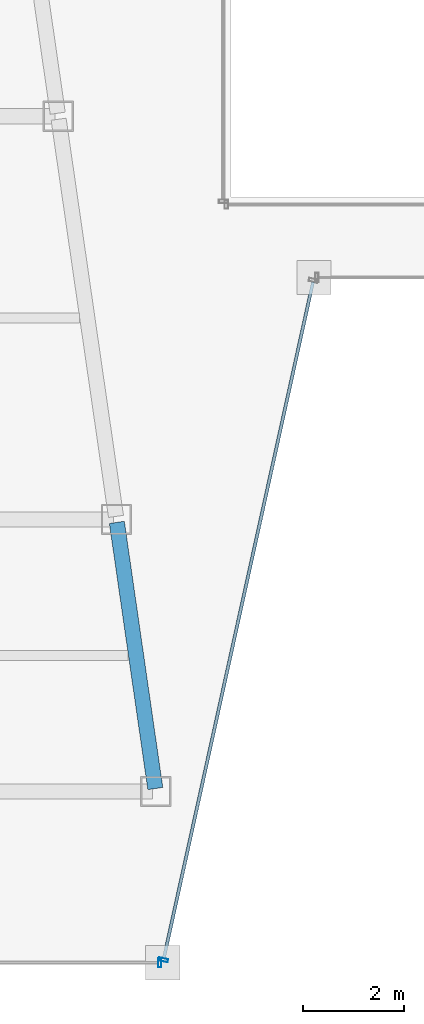
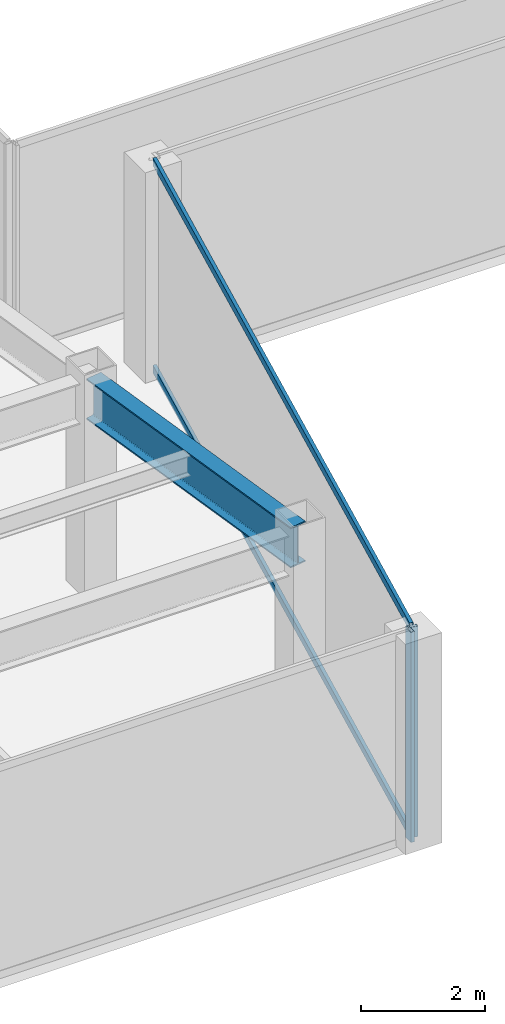
# One storey, part 5 of 37: 4 members, 1 beam, 2 elements without a shape of their own.
"""IFC4 building model written with IfcOpenShell, lengths in metres."""

from ifc_helpers import new_model, si_unit, direction, frame, origin, origin_2d, place, context, subcontext, project, spatial, hollow_rectangle, i_section, extrude, material, material_profile, profile_set, type_object, element, aggregate, save


model = new_model("IFC4")

# Units and contexts
model_context = context("Model", 3, precision=1e-05, world=origin(), true_north=direction((0.0, 1.0)))
body_context = subcontext(model_context, "Body", "Model", "MODEL_VIEW")
ifc_project = project(units=[si_unit("LENGTHUNIT", "METRE"), si_unit("AREAUNIT", "SQUARE_METRE"), si_unit("VOLUMEUNIT", "CUBIC_METRE"), si_unit("PLANEANGLEUNIT", "RADIAN"), si_unit("MASSUNIT", "GRAM", prefix="KILO")], contexts=[model_context])

# Site, building, storey
site_placement = place(None, origin())
site = spatial("IfcSite", under=ifc_project, at=site_placement, CompositionType="ELEMENT")
building_placement = place(site_placement, origin())
building = spatial("IfcBuilding", under=site, at=building_placement, Name="Saevonmaru Cultural Tower", CompositionType="ELEMENT")
storey_placement = place(building_placement, frame((0.0, 0.0, 106.0)))
storey = spatial("IfcBuildingStorey", under=building, at=storey_placement, Name="L22", CompositionType="ELEMENT", Elevation=106.0)

# Beam
ifc_material_1 = material(Name="Steel SM420", Category="steel")
ifc_material_profile_1 = material_profile(ifc_material_1, i_section(OverallWidth=0.300048828125, OverallDepth=0.800048828125, WebThickness=0.013916015625, FlangeThickness=0.02587890625, FilletRadius=0.028076171875, at=origin_2d()), Name="H-800x300x14x26")
ifc_profile_set_1 = profile_set([ifc_material_profile_1], Name="Steel SM420")
beam_type = type_object("IfcBeamType", Name="BM-G-H800", PredefinedType="BEAM", material=ifc_profile_set_1)
beam_placement = place(storey_placement, frame((22.699462890625, 10.659423828125, 3.75), z_axis=(-0.142977693794, 0.989725911087, 0.0), x_axis=(-0.989725911087, -0.142977693794, 0.0)))
element("IfcBeam", 1, at=beam_placement, inside=storey, type_object=beam_type, Name="L22 West Atrium Girder 1", PredefinedType="BEAM", context=body_context, shape_type="SweptSolid", body=[
    extrude(i_section(OverallWidth=0.300048828125, OverallDepth=0.800048828125, WebThickness=0.013916015625, FlangeThickness=0.02587890625, FilletRadius=0.028076171875, at=origin_2d()), origin(), (0.0, 0.0, 1.0), 5.336181640625),
])

# Curtain wall, member
ifc_material_2 = material(Name="Satin Bronze Anodised Aluminium", Category="aluminium")
curtain_wall_type = type_object("IfcCurtainWallType", Name="CW-TYP-A", PredefinedType="NOTDEFINED", material=ifc_material_2)
curtain_wall_1_placement = place(storey_placement, origin())
curtain_wall_1 = element("IfcCurtainWall", 2, at=curtain_wall_1_placement, inside=storey, type_object=curtain_wall_type, Name="L22 Unitised Curtain Wall E2", PredefinedType="NOTDEFINED")
ifc_material_profile_2 = material_profile(ifc_material_2, hollow_rectangle(XDim=0.06494140625, YDim=0.179931640625, WallThickness=0.00390625, at=origin_2d()), Name="ALU-MULL-180x65x4")
ifc_profile_set_2 = profile_set([ifc_material_profile_2], Name="Satin Bronze Anodised Aluminium")
member_type_1 = type_object("IfcMemberType", Name="ML-CW-180x65", PredefinedType="MULLION", material=ifc_profile_set_2)
member_1_placement = place(storey_placement, frame((22.788818359375, 7.199951171875, 0.0), z_axis=(0.0, 0.0, 1.0), x_axis=(1.0, 0.0, 0.0)))
member_1 = element("IfcMember", 3, at=member_1_placement, type_object=member_type_1, Name="CW-TW-L22-E2 mullion 2", PredefinedType="MULLION", context=body_context, shape_type="SweptSolid", body=[
    extrude(hollow_rectangle(XDim=0.06494140625, YDim=0.179931640625, WallThickness=0.00390625, at=origin_2d()), origin(), (0.0, 0.0, 1.0), 4.14990234375),
])
aggregate(curtain_wall_1, [member_1])

# Curtain wall, members
curtain_wall_2_placement = place(storey_placement, origin())
curtain_wall_2 = element("IfcCurtainWall", 4, at=curtain_wall_2_placement, inside=storey, type_object=curtain_wall_type, Name="L22 Unitised Curtain Wall E3", PredefinedType="NOTDEFINED")
member_2_placement = place(storey_placement, frame((22.86181640625, 7.258544921875, 0.0), z_axis=(0.0, 0.0, 1.0), x_axis=(0.215413319953, 0.976522965212, 0.0)))
member_2 = element("IfcMember", 5, at=member_2_placement, type_object=member_type_1, Name="CW-TW-L22-E3 mullion 1", PredefinedType="MULLION", context=body_context, shape_type="SweptSolid", body=[
    extrude(hollow_rectangle(XDim=0.06494140625, YDim=0.179931640625, WallThickness=0.00390625, at=origin_2d()), origin(), (0.0, 0.0, 1.0), 4.14990234375),
])
ifc_material_profile_3 = material_profile(ifc_material_2, hollow_rectangle(XDim=0.06494140625, YDim=0.14990234375, WallThickness=0.00390625, at=origin_2d()), Name="ALU-TRAN-150x65x4")
ifc_profile_set_3 = profile_set([ifc_material_profile_3], Name="Satin Bronze Anodised Aluminium")
member_type_2 = type_object("IfcMemberType", Name="TR-CW-150x65", PredefinedType="USERDEFINED", material=ifc_profile_set_3)
member_3_placement = place(storey_placement, frame((22.868896484375, 7.290283203125, 0.032470703125), z_axis=(0.21541214732, 0.976523223885, 0.0), x_axis=(-0.976523223885, 0.21541214732, 0.0)))
member_3 = element("IfcMember", 6, at=member_3_placement, type_object=member_type_2, Name="CW-TW-L22-E3 transom 1.1", ObjectType="TRANSOM", PredefinedType="USERDEFINED", context=body_context, shape_type="SweptSolid", body=[
    extrude(hollow_rectangle(XDim=0.06494140625, YDim=0.14990234375, WallThickness=0.00390625, at=origin_2d()), origin(), (0.0, 0.0, 1.0), 13.741943359375),
])
member_4_placement = place(storey_placement, frame((22.868896484375, 7.290283203125, 4.117431640625), z_axis=(0.21541214732, 0.976523223885, 0.0), x_axis=(-0.976523223885, 0.21541214732, 0.0)))
member_4 = element("IfcMember", 7, at=member_4_placement, type_object=member_type_2, Name="CW-TW-L22-E3 transom 1.2", ObjectType="TRANSOM", PredefinedType="USERDEFINED", context=body_context, shape_type="SweptSolid", body=[
    extrude(hollow_rectangle(XDim=0.06494140625, YDim=0.14990234375, WallThickness=0.00390625, at=origin_2d()), origin(), (0.0, 0.0, 1.0), 13.741943359375),
])
aggregate(curtain_wall_2, [member_2, member_3, member_4])

save(model, "model.ifc")
